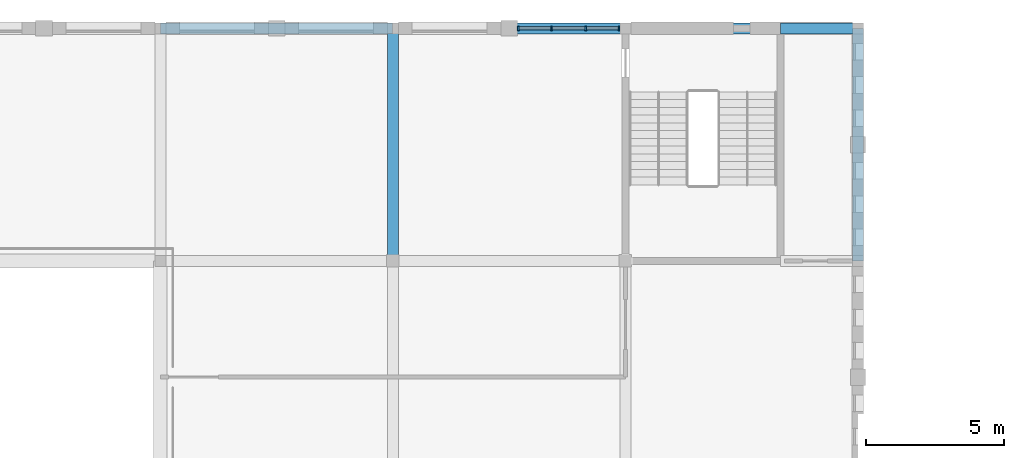
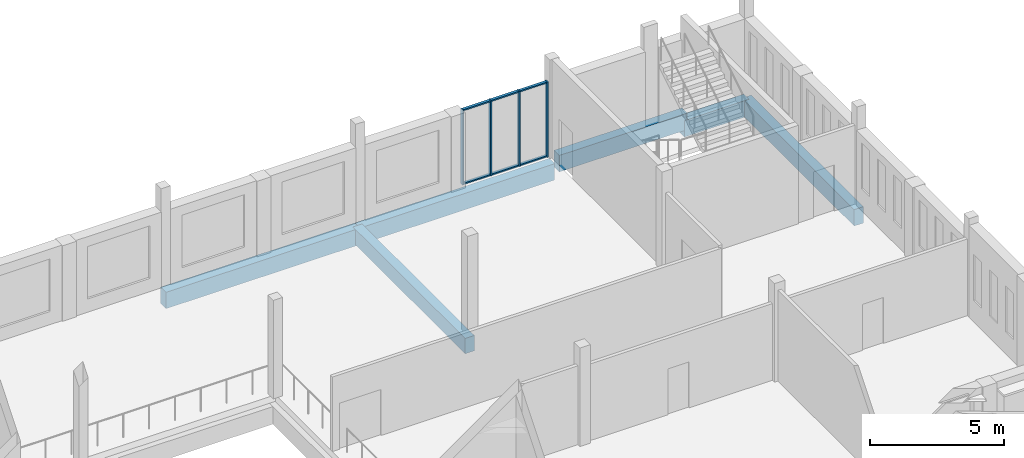
# One storey, part 79 of 116: 10 members, 6 beams, 1 element without a shape of its own.
"""IFC4 building model written with IfcOpenShell, lengths in metres."""

from ifc_helpers import new_model, si_unit, direction, frame, origin, origin_2d, place, context, subcontext, project, spatial, rectangle, extrude, material, material_profile, profile_set, type_object, element, aggregate, save


model = new_model("IFC4")

# Units and contexts
model_context = context("Model", 3, precision=1e-05, world=origin(), true_north=direction((0.0, 1.0)))
body_context = subcontext(model_context, "Body", "Model", "MODEL_VIEW")
ifc_project = project(units=[si_unit("LENGTHUNIT", "METRE"), si_unit("AREAUNIT", "SQUARE_METRE"), si_unit("VOLUMEUNIT", "CUBIC_METRE"), si_unit("PLANEANGLEUNIT", "RADIAN"), si_unit("MASSUNIT", "GRAM", prefix="KILO")], contexts=[model_context])

# Site, building, storey
site_placement = place(None, origin())
site = spatial("IfcSite", under=ifc_project, at=site_placement, CompositionType="ELEMENT")
building_placement = place(site_placement, origin())
building = spatial("IfcBuilding", under=site, at=building_placement, Name="Fescue Hill Polytechnic", CompositionType="ELEMENT")
storey_placement = place(building_placement, frame((0.0, 0.0, 13.5)))
storey = spatial("IfcBuildingStorey", under=building, at=storey_placement, Name="L03", CompositionType="ELEMENT", Elevation=13.5)

# Beams
ifc_material_1 = material(Name="Concrete 35 MPa", Category="concrete")
ifc_material_profile_1 = material_profile(ifc_material_1, rectangle(XDim=0.39990234375, YDim=0.699951171875, at=origin_2d()), Name="RC 400x700")
ifc_profile_set_1 = profile_set([ifc_material_profile_1], Name="Concrete 35 MPa")
beam_type_1 = type_object("IfcBeamType", Name="Beam RC 400x700", PredefinedType="BEAM", material=ifc_profile_set_1)
beam_1_placement = place(storey_placement, frame((100.800048828125, 126.0, -0.64990234375), z_axis=(0.0, 1.0, 0.0), x_axis=(-1.0, 0.0, 0.0)))
element("IfcBeam", 1, at=beam_1_placement, inside=storey, type_object=beam_type_1, Name="BM-L03-0112", PredefinedType="BEAM", context=body_context, shape_type="SweptSolid", body=[
    extrude(rectangle(XDim=0.39990234375, YDim=0.699951171875, at=origin_2d()), origin(), (0.0, 0.0, 1.0), 8.39990234375),
])
ifc_material_profile_2 = material_profile(ifc_material_1, rectangle(XDim=0.39990234375, YDim=0.75, at=origin_2d()), Name="RC 400x750")
ifc_profile_set_2 = profile_set([ifc_material_profile_2], Name="Concrete 35 MPa")
beam_type_2 = type_object("IfcBeamType", Name="Beam RC 400x750", PredefinedType="BEAM", material=ifc_profile_set_2)
beam_2_placement = place(storey_placement, frame((92.409912109375, 134.39990234375, -0.675048828125), z_axis=(1.0, 0.0, 0.0), x_axis=(0.0, 1.0, 0.0)))
element("IfcBeam", 2, at=beam_2_placement, inside=storey, type_object=beam_type_2, Name="BM-L03-0106", PredefinedType="BEAM", context=body_context, shape_type="SweptSolid", body=[
    extrude(rectangle(XDim=0.39990234375, YDim=0.75, at=origin_2d()), origin(), (0.0, 0.0, 1.0), 8.380126953125),
])
beam_3_placement = place(storey_placement, frame((100.81005859375, 134.39990234375, -0.675048828125), z_axis=(1.0, 0.0, 0.0), x_axis=(0.0, 1.0, 0.0)))
element("IfcBeam", 3, at=beam_3_placement, inside=storey, type_object=beam_type_2, Name="BM-L03-0114", PredefinedType="BEAM", context=body_context, shape_type="SweptSolid", body=[
    extrude(rectangle(XDim=0.39990234375, YDim=0.75, at=origin_2d()), origin(), (0.0, 0.0, 1.0), 8.389892578125),
])
beam_4_placement = place(storey_placement, frame((114.800048828125, 134.39990234375, -0.675048828125), z_axis=(1.0, 0.0, 0.0), x_axis=(0.0, 1.0, 0.0)))
element("IfcBeam", 4, at=beam_4_placement, inside=storey, type_object=beam_type_2, Name="BM-L03-0119", PredefinedType="BEAM", context=body_context, shape_type="SweptSolid", body=[
    extrude(rectangle(XDim=0.39990234375, YDim=0.75, at=origin_2d()), origin(), (0.0, 0.0, 1.0), 2.7900390625),
])
beam_5_placement = place(storey_placement, frame((117.60009765625, 126.0, -0.675048828125), z_axis=(0.0, 1.0, 0.0), x_axis=(-1.0, 0.0, 0.0)))
element("IfcBeam", 5, at=beam_5_placement, inside=storey, type_object=beam_type_2, Name="BM-L03-0121", PredefinedType="BEAM", context=body_context, shape_type="SweptSolid", body=[
    extrude(rectangle(XDim=0.39990234375, YDim=0.75, at=origin_2d()), origin(), (0.0, 0.0, 1.0), 8.39990234375),
])
beam_6_placement = place(storey_placement, frame((109.39990234375, 134.39990234375, -0.375), z_axis=(1.0, 0.0, 0.0), x_axis=(0.0, 1.0, 0.0)))
element("IfcBeam", 6, at=beam_6_placement, inside=storey, type_object=beam_type_2, Name="BM-L03-0140", PredefinedType="BEAM", context=body_context, shape_type="SweptSolid", body=[
    extrude(rectangle(XDim=0.39990234375, YDim=0.75, at=origin_2d()), origin(), (0.0, 0.0, 1.0), 5.525146484375),
])

# Curtain wall, members
ifc_material_2 = material(Name="Glass", Category="glass")
curtain_wall_type = type_object("IfcCurtainWallType", Name="Curtain wall structural glazing", PredefinedType="NOTDEFINED", material=ifc_material_2)
curtain_wall_placement = place(storey_placement, origin())
curtain_wall = element("IfcCurtainWall", 7, at=curtain_wall_placement, inside=storey, type_object=curtain_wall_type, Name="CW-L03-V4b-X1", PredefinedType="NOTDEFINED")
ifc_material_3 = material(Name="Powder-coated aluminium", Category="aluminium")
ifc_material_profile_3 = material_profile(ifc_material_3, rectangle(XDim=0.159912109375, YDim=0.06005859375, at=origin_2d()), Name="Mullion aluminium 60x160")
ifc_profile_set_3 = profile_set([ifc_material_profile_3], Name="Powder-coated aluminium")
member_type_1 = type_object("IfcMemberType", Name="Mullion aluminium 60x160", PredefinedType="MULLION", material=ifc_profile_set_3)
member_1_placement = place(storey_placement, frame((108.969970703125, 134.39990234375, 0.0), z_axis=(0.0, 0.0, 1.0), x_axis=(0.0, -1.0, 0.0)))
member_1 = element("IfcMember", 8, at=member_1_placement, type_object=member_type_1, Name="CW167 mullion 1", PredefinedType="MULLION", context=body_context, shape_type="SweptSolid", body=[
    extrude(rectangle(XDim=0.159912109375, YDim=0.06005859375, at=origin_2d()), origin(), (0.0, 0.0, 1.0), 3.429931640625),
])
member_2_placement = place(storey_placement, frame((107.7666015625, 134.39990234375, 0.0), z_axis=(0.0, 0.0, 1.0), x_axis=(0.0, -1.0, 0.0)))
member_2 = element("IfcMember", 9, at=member_2_placement, type_object=member_type_1, Name="CW167 mullion 2", PredefinedType="MULLION", context=body_context, shape_type="SweptSolid", body=[
    extrude(rectangle(XDim=0.159912109375, YDim=0.06005859375, at=origin_2d()), origin(), (0.0, 0.0, 1.0), 3.429931640625),
])
member_3_placement = place(storey_placement, frame((106.533447265625, 134.39990234375, 0.0), z_axis=(0.0, 0.0, 1.0), x_axis=(0.0, -1.0, 0.0)))
member_3 = element("IfcMember", 10, at=member_3_placement, type_object=member_type_1, Name="CW167 mullion 3", PredefinedType="MULLION", context=body_context, shape_type="SweptSolid", body=[
    extrude(rectangle(XDim=0.159912109375, YDim=0.06005859375, at=origin_2d()), origin(), (0.0, 0.0, 1.0), 3.429931640625),
])
member_4_placement = place(storey_placement, frame((105.330078125, 134.39990234375, 0.0), z_axis=(0.0, 0.0, 1.0), x_axis=(0.0, -1.0, 0.0)))
member_4 = element("IfcMember", 11, at=member_4_placement, type_object=member_type_1, Name="CW167 mullion 4", PredefinedType="MULLION", context=body_context, shape_type="SweptSolid", body=[
    extrude(rectangle(XDim=0.159912109375, YDim=0.06005859375, at=origin_2d()), origin(), (0.0, 0.0, 1.0), 3.429931640625),
])
ifc_material_profile_4 = material_profile(ifc_material_3, rectangle(XDim=0.1201171875, YDim=0.06005859375, at=origin_2d()), Name="Transom aluminium 60x120")
ifc_profile_set_4 = profile_set([ifc_material_profile_4], Name="Powder-coated aluminium")
member_type_2 = type_object("IfcMemberType", Name="Transom aluminium 60x120", PredefinedType="USERDEFINED", material=ifc_profile_set_4)
member_5_placement = place(storey_placement, frame((108.93994140625, 134.39990234375, 0.030029296875), z_axis=(-1.0, 0.0, 0.0), x_axis=(0.0, -1.0, 0.0)))
member_5 = element("IfcMember", 12, at=member_5_placement, type_object=member_type_2, Name="CW167 transom 1.1", ObjectType="TRANSOM", PredefinedType="USERDEFINED", context=body_context, shape_type="SweptSolid", body=[
    extrude(rectangle(XDim=0.1201171875, YDim=0.06005859375, at=origin_2d()), origin(), (0.0, 0.0, 1.0), 1.143310546875),
])
member_6_placement = place(storey_placement, frame((108.93994140625, 134.39990234375, 3.39990234375), z_axis=(-1.0, 0.0, 0.0), x_axis=(0.0, -1.0, 0.0)))
member_6 = element("IfcMember", 13, at=member_6_placement, type_object=member_type_2, Name="CW167 transom 1.2", ObjectType="TRANSOM", PredefinedType="USERDEFINED", context=body_context, shape_type="SweptSolid", body=[
    extrude(rectangle(XDim=0.1201171875, YDim=0.06005859375, at=origin_2d()), origin(), (0.0, 0.0, 1.0), 1.143310546875),
])
member_7_placement = place(storey_placement, frame((107.736572265625, 134.39990234375, 0.030029296875), z_axis=(-1.0, 0.0, 0.0), x_axis=(0.0, -1.0, 0.0)))
member_7 = element("IfcMember", 14, at=member_7_placement, type_object=member_type_2, Name="CW167 transom 2.1", ObjectType="TRANSOM", PredefinedType="USERDEFINED", context=body_context, shape_type="SweptSolid", body=[
    extrude(rectangle(XDim=0.1201171875, YDim=0.06005859375, at=origin_2d()), origin(), (0.0, 0.0, 1.0), 1.17333984375),
])
member_8_placement = place(storey_placement, frame((107.736572265625, 134.39990234375, 3.39990234375), z_axis=(-1.0, 0.0, 0.0), x_axis=(0.0, -1.0, 0.0)))
member_8 = element("IfcMember", 15, at=member_8_placement, type_object=member_type_2, Name="CW167 transom 2.2", ObjectType="TRANSOM", PredefinedType="USERDEFINED", context=body_context, shape_type="SweptSolid", body=[
    extrude(rectangle(XDim=0.1201171875, YDim=0.06005859375, at=origin_2d()), origin(), (0.0, 0.0, 1.0), 1.17333984375),
])
member_9_placement = place(storey_placement, frame((106.50341796875, 134.39990234375, 0.030029296875), z_axis=(-1.0, 0.0, 0.0), x_axis=(0.0, -1.0, 0.0)))
member_9 = element("IfcMember", 16, at=member_9_placement, type_object=member_type_2, Name="CW167 transom 3.1", ObjectType="TRANSOM", PredefinedType="USERDEFINED", context=body_context, shape_type="SweptSolid", body=[
    extrude(rectangle(XDim=0.1201171875, YDim=0.06005859375, at=origin_2d()), origin(), (0.0, 0.0, 1.0), 1.143310546875),
])
member_10_placement = place(storey_placement, frame((106.50341796875, 134.39990234375, 3.39990234375), z_axis=(-1.0, 0.0, 0.0), x_axis=(0.0, -1.0, 0.0)))
member_10 = element("IfcMember", 17, at=member_10_placement, type_object=member_type_2, Name="CW167 transom 3.2", ObjectType="TRANSOM", PredefinedType="USERDEFINED", context=body_context, shape_type="SweptSolid", body=[
    extrude(rectangle(XDim=0.1201171875, YDim=0.06005859375, at=origin_2d()), origin(), (0.0, 0.0, 1.0), 1.143310546875),
])
aggregate(curtain_wall, [member_1, member_2, member_3, member_4, member_5, member_6, member_7, member_8, member_9, member_10])

save(model, "model.ifc")
